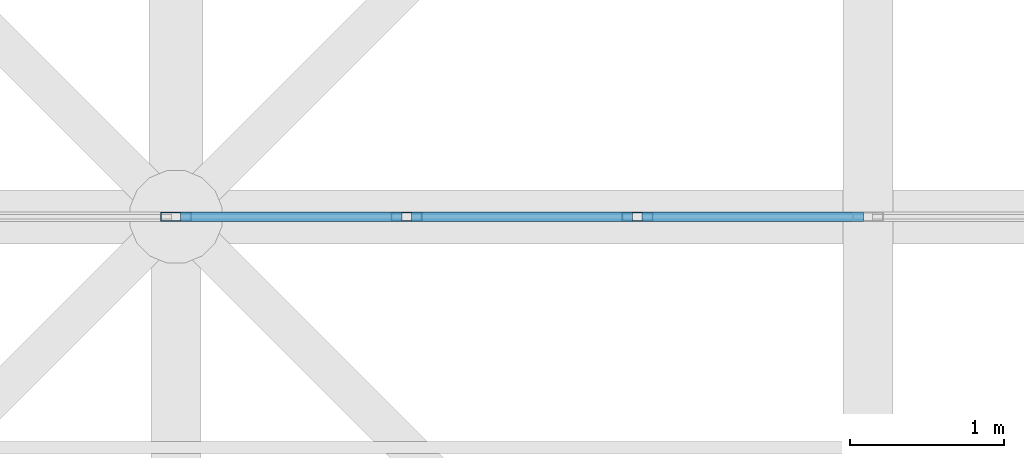
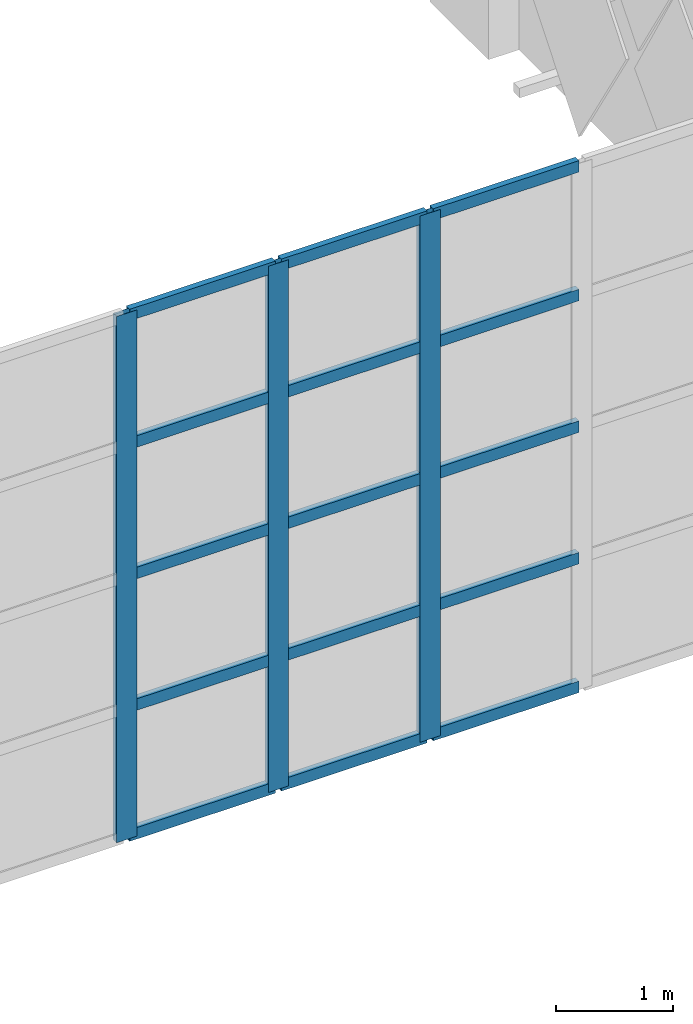
# One storey, part 186 of 437: 18 members, 1 element without a shape of its own.
"""IFC4 building model written with IfcOpenShell, lengths in metres."""

import ifcopenshell
import ifcopenshell.guid

model = None  # the IFC model being written
_history = None  # IfcOwnerHistory: only IFC2X3 demands one
_inside = {}  # id of a spatial element -> (the spatial element, [elements in it])
_under = {}  # id of a project, library or spatial element -> (it, [spatial elements below it])
_declared = {}  # id of a project -> (the project, [libraries it declares])
_typed = {}  # id of a type object -> (the type object, [elements of that type])
_made_of = {}  # id of a material, layer set ... -> (it, [elements and type objects made of it])


def new_model(schema):
    """Start an empty IFC model of exactly this schema.

    Asked for "IFC4X3", IfcOpenShell would pick the latest addendum, in which some entities
    have other attributes; the version numbers below select the first issue.
    IFC2X3 requires an IfcOwnerHistory on every rooted entity: one is made here for all.
    """
    global model, _history
    if schema == "IFC4X3":
        model = ifcopenshell.file(schema_version=(4, 3, 0, 0))
    else:
        model = ifcopenshell.file(schema=schema)
    _inside.clear()
    _under.clear()
    _declared.clear()
    _typed.clear()
    _made_of.clear()
    _history = None
    if model.schema == "IFC2X3":
        org = make("IfcOrganization", Name="unknown")
        user = make(
            "IfcPersonAndOrganization",
            ThePerson=make("IfcPerson", FamilyName="unknown"),
            TheOrganization=org,
        )
        app = make(
            "IfcApplication",
            ApplicationDeveloper=org,
            Version="unknown",
            ApplicationFullName="unknown",
            ApplicationIdentifier="unknown",
        )
        _history = make(
            "IfcOwnerHistory",
            OwningUser=user,
            OwningApplication=app,
            ChangeAction="ADDED",
            CreationDate=0,
        )
    return model


def make(cls, **values):
    """One entity of the class cls with the attributes given. An attribute that is None is left unset."""
    return model.create_entity(
        cls, **{name: value for name, value in values.items() if value is not None}
    )


def rooted(cls, **values):
    """An entity with a GlobalId (a new one), such as an element, a storey or a relation."""
    return make(cls, GlobalId=ifcopenshell.guid.new(), OwnerHistory=_history, **values)


def si_unit(unit_type, name, prefix=None):
    """IfcSIUnit, for example si_unit("LENGTHUNIT", "METRE", prefix="MILLI")."""
    return make("IfcSIUnit", UnitType=unit_type, Prefix=prefix, Name=name)


def assignment(units):
    """IfcUnitAssignment: the units of a project."""
    return None if units is None else make("IfcUnitAssignment", Units=units)


def point(xyz):
    """IfcCartesianPoint."""
    return None if xyz is None else make("IfcCartesianPoint", Coordinates=xyz)


def direction(xyz):
    """IfcDirection."""
    return None if xyz is None else make("IfcDirection", DirectionRatios=xyz)


def frame(location, z_axis=None, x_axis=None):
    """IfcAxis2Placement3D, a coordinate frame: its origin and axes. An axis left out is left unset."""
    return make(
        "IfcAxis2Placement3D",
        Location=point(location),
        Axis=direction(z_axis),
        RefDirection=direction(x_axis),
    )


def frame_2d(location, x_axis=None):
    """IfcAxis2Placement2D, a coordinate frame in the plane: its origin and x axis."""
    return make(
        "IfcAxis2Placement2D", Location=point(location), RefDirection=direction(x_axis)
    )


def origin():
    """The frame at (0, 0, 0) with its axes left unset."""
    return frame((0.0, 0.0, 0.0))


def origin_2d():
    """The frame at (0, 0) in the plane with its x axis left unset."""
    return frame_2d((0.0, 0.0))


def place(relative_to, where):
    """IfcLocalPlacement: puts the frame where relative to a parent placement (None: the world)."""
    return make(
        "IfcLocalPlacement", PlacementRelTo=relative_to, RelativePlacement=where
    )


def context(
    kind, dimensions, precision=None, world=None, true_north=None, identifier=None
):
    """IfcGeometricRepresentationContext, for example the 3D "Model" context."""
    return make(
        "IfcGeometricRepresentationContext",
        ContextIdentifier=identifier,
        ContextType=kind,
        CoordinateSpaceDimension=dimensions,
        Precision=precision,
        WorldCoordinateSystem=world,
        TrueNorth=true_north,
    )


def subcontext(parent, identifier, kind, view, scale=None):
    """IfcGeometricRepresentationSubContext, for example "Body" below "Model"."""
    return make(
        "IfcGeometricRepresentationSubContext",
        ContextIdentifier=identifier,
        ContextType=kind,
        ParentContext=parent,
        TargetScale=scale,
        TargetView=view,
    )


def project(units=None, contexts=None):
    """IfcProject with its units and contexts."""
    return rooted(
        "IfcProject",
        Name="project",
        RepresentationContexts=contexts,
        UnitsInContext=assignment(units),
    )


def spatial(cls, under=None, at=None, **own):
    """A site, building, storey or space (cls), placed at a placement, below another one or the project."""
    s = rooted(cls, ObjectPlacement=at, **own)
    if under is not None:
        _under.setdefault(under.id(), (under, []))[1].append(s)
    return s


def profile(cls, at=None, kind="AREA", **sizes):
    """A parametric profile (cls). Its sizes go by their IFC names, for example OverallWidth=200.0."""
    return make(cls, ProfileType=kind, Position=at, **sizes)


def hollow_rectangle(**sizes):
    """IfcRectangleHollowProfileDef."""
    return profile("IfcRectangleHollowProfileDef", **sizes)


def extrude(swept, where, along, depth):
    """IfcExtrudedAreaSolid: the profile swept, set in the frame where, extruded along a direction by depth."""
    return make(
        "IfcExtrudedAreaSolid",
        SweptArea=swept,
        Position=where,
        ExtrudedDirection=direction(along),
        Depth=depth,
    )


def shape(context_of_items, identifier, shape_type, items):
    """IfcShapeRepresentation: the items that make up one representation, for example the "Body"."""
    return make(
        "IfcShapeRepresentation",
        ContextOfItems=context_of_items,
        RepresentationIdentifier=identifier,
        RepresentationType=shape_type,
        Items=items,
    )


def material(Name=None, Category=None):
    """IfcMaterial."""
    return make("IfcMaterial", Name=Name, Category=Category)


def layer(
    of_material, thickness, ventilated=None, Name=None, Category=None, Priority=None
):
    """IfcMaterialLayer: one layer of a wall or slab, of a material (None: an air gap)."""
    return make(
        "IfcMaterialLayer",
        Material=of_material,
        LayerThickness=thickness,
        IsVentilated=ventilated,
        Name=Name,
        Category=Category,
        Priority=Priority,
    )


def layer_set(layers, Name=None):
    """IfcMaterialLayerSet."""
    return make("IfcMaterialLayerSet", MaterialLayers=layers, LayerSetName=Name)


def material_profile(
    of_material, cross_section, Name=None, Category=None, Priority=None
):
    """IfcMaterialProfile: a cross section and its material."""
    return make(
        "IfcMaterialProfile",
        Name=Name,
        Material=of_material,
        Profile=cross_section,
        Priority=Priority,
        Category=Category,
    )


def profile_set(profiles, Name=None, composite=None):
    """IfcMaterialProfileSet."""
    return make(
        "IfcMaterialProfileSet",
        Name=Name,
        MaterialProfiles=profiles,
        CompositeProfile=composite,
    )


def made_of(thing, what):
    """Note that an element or type object is made of a material, layer set ...; save() writes the relation."""
    if what is not None:
        _made_of.setdefault(what.id(), (what, []))[1].append(thing)
    return thing


def type_object(cls, material=None, **own):
    """A type object (cls), such as IfcWallType, which elements share."""
    return made_of(rooted(cls, **own), material)


def element(
    cls,
    number,
    at=None,
    inside=None,
    cuts=None,
    type_object=None,
    material=None,
    context=None,
    identifier="Body",
    shape_type=None,
    held_by="IfcProductDefinitionShape",
    body=None,
    shapes=None,
    **own,
):
    """One element of the class cls, such as IfcWall. Its Tag is "e" and its number.

    at: its placement. inside: the storey or other place that contains it. cuts: it is an
    opening in that element (IfcRelVoidsElement). A single representation is given by context,
    identifier, shape_type and body (its items); several are given by shapes. held_by: the class
    of the entity that holds the representations. save() writes the other relations.
    """
    e = rooted(cls, Tag="e%d" % number, ObjectPlacement=at, **own)
    if body is not None:
        shapes = [shape(context, identifier, shape_type, body)]
    if shapes is not None:
        e.Representation = make(held_by, Representations=shapes)
    if inside is not None:
        _inside.setdefault(inside.id(), (inside, []))[1].append(e)
    if cuts is not None:
        rooted(
            "IfcRelVoidsElement", RelatingBuildingElement=cuts, RelatedOpeningElement=e
        )
    if type_object is not None:
        _typed.setdefault(type_object.id(), (type_object, []))[1].append(e)
    return made_of(e, material)


def aggregate(whole, parts):
    """IfcRelAggregates: a whole, such as a stair, and the parts it consists of."""
    return rooted("IfcRelAggregates", RelatingObject=whole, RelatedObjects=parts)


def save(model, path):
    """Write the relations noted so far, then the file.

    IfcRelAggregates (storeys below a building ...), IfcRelContainedInSpatialStructure (elements
    in a storey), IfcRelDefinesByType, IfcRelAssociatesMaterial and IfcRelDeclares: one each for
    every whole, place, type object, material and project.
    """
    for whole, parts in _under.values():
        aggregate(whole, parts)
    for where, things in _inside.values():
        rooted(
            "IfcRelContainedInSpatialStructure",
            RelatedElements=things,
            RelatingStructure=where,
        )
    for kind, things in _typed.values():
        rooted("IfcRelDefinesByType", RelatedObjects=things, RelatingType=kind)
    for what, things in _made_of.values():
        rooted("IfcRelAssociatesMaterial", RelatedObjects=things, RelatingMaterial=what)
    for by, libraries in _declared.values():
        rooted("IfcRelDeclares", RelatingContext=by, RelatedDefinitions=libraries)
    model.write(path)


model = new_model("IFC4")

# Units and contexts
model_context = context("Model", 3, precision=1e-05, world=origin(), true_north=direction((0.0, 1.0)))
body_context = subcontext(model_context, "Body", "Model", "MODEL_VIEW")
ifc_project = project(units=[si_unit("LENGTHUNIT", "METRE"), si_unit("AREAUNIT", "SQUARE_METRE"), si_unit("VOLUMEUNIT", "CUBIC_METRE"), si_unit("PLANEANGLEUNIT", "RADIAN"), si_unit("MASSUNIT", "GRAM", prefix="KILO")], contexts=[model_context])

# Site, building, storey
site_placement = place(None, origin())
site = spatial("IfcSite", under=ifc_project, at=site_placement, CompositionType="ELEMENT")
building_placement = place(site_placement, origin())
building = spatial("IfcBuilding", under=site, at=building_placement, Name="Opaline Strait Convention Centre", CompositionType="ELEMENT")
storey_placement = place(building_placement, frame((0.0, 0.0, 11.5)))
storey = spatial("IfcBuildingStorey", under=building, at=storey_placement, Name="L02", CompositionType="ELEMENT", Elevation=11.5)

# Curtain wall, members
ifc_material_1 = material(Name="Aluminium framed glazing", Category="aluminium")
ifc_layer = layer(ifc_material_1, 0.199951171875)
ifc_layer_set = layer_set([ifc_layer], Name="Aluminium framed glazing")
curtain_wall_type = type_object("IfcCurtainWallType", Name="Entrance curtain wall 1500", PredefinedType="NOTDEFINED", material=ifc_layer_set)
curtain_wall_placement = place(storey_placement, origin())
curtain_wall = element("IfcCurtainWall", 1, at=curtain_wall_placement, inside=storey, type_object=curtain_wall_type, Name="Entrance curtain wall L02-R3", PredefinedType="NOTDEFINED")
ifc_material_2 = material(Name="Aluminium alloy 6063", Category="aluminium")
ifc_material_profile_1 = material_profile(ifc_material_2, hollow_rectangle(XDim=0.06005859375, YDim=0.199951171875, WallThickness=0.00390625, at=origin_2d()), Name="MULLION 60x200x4")
ifc_profile_set_1 = profile_set([ifc_material_profile_1], Name="Aluminium alloy 6063")
member_type_1 = type_object("IfcMemberType", Name="Curtain wall mullion 60 x 200", PredefinedType="MULLION", material=ifc_profile_set_1)
member_1_placement = place(storey_placement, frame((198.0, 144.0, 0.0), z_axis=(0.0, 0.0, 1.0), x_axis=(0.0, 1.0, 0.0)))
member_1 = element("IfcMember", 2, at=member_1_placement, type_object=member_type_1, Name="XCW mullion 7", PredefinedType="MULLION", context=body_context, shape_type="SweptSolid", body=[
    extrude(hollow_rectangle(XDim=0.06005859375, YDim=0.199951171875, WallThickness=0.00390625, at=origin_2d()), origin(), (0.0, 0.0, 1.0), 5.5),
])
member_2_placement = place(storey_placement, frame((199.5, 144.0, 0.0), z_axis=(0.0, 0.0, 1.0), x_axis=(0.0, 1.0, 0.0)))
member_2 = element("IfcMember", 3, at=member_2_placement, type_object=member_type_1, Name="XCW mullion 8", PredefinedType="MULLION", context=body_context, shape_type="SweptSolid", body=[
    extrude(hollow_rectangle(XDim=0.06005859375, YDim=0.199951171875, WallThickness=0.00390625, at=origin_2d()), origin(), (0.0, 0.0, 1.0), 5.5),
])
member_3_placement = place(storey_placement, frame((201.0, 144.0, 0.0), z_axis=(0.0, 0.0, 1.0), x_axis=(0.0, 1.0, 0.0)))
member_3 = element("IfcMember", 4, at=member_3_placement, type_object=member_type_1, Name="XCW mullion 9", PredefinedType="MULLION", context=body_context, shape_type="SweptSolid", body=[
    extrude(hollow_rectangle(XDim=0.06005859375, YDim=0.199951171875, WallThickness=0.00390625, at=origin_2d()), origin(), (0.0, 0.0, 1.0), 5.5),
])
ifc_material_profile_2 = material_profile(ifc_material_2, hollow_rectangle(XDim=0.06005859375, YDim=0.1201171875, WallThickness=0.0029296875, at=origin_2d()), Name="TRANSOM 60x120x3")
ifc_profile_set_2 = profile_set([ifc_material_profile_2], Name="Aluminium alloy 6063")
member_type_2 = type_object("IfcMemberType", Name="Curtain wall transom 60 x 120", PredefinedType="USERDEFINED", material=ifc_profile_set_2)
member_4_placement = place(storey_placement, frame((198.030029296875, 144.0, 0.030029296875), z_axis=(1.0, 0.0, 0.0), x_axis=(0.0, 1.0, 0.0)))
member_4 = element("IfcMember", 5, at=member_4_placement, type_object=member_type_2, Name="XCW transom 7.1", ObjectType="TRANSOM", PredefinedType="USERDEFINED", context=body_context, shape_type="SweptSolid", body=[
    extrude(hollow_rectangle(XDim=0.06005859375, YDim=0.1201171875, WallThickness=0.0029296875, at=origin_2d()), origin(), (0.0, 0.0, 1.0), 1.43994140625),
])
member_5_placement = place(storey_placement, frame((198.030029296875, 144.0, 1.375), z_axis=(1.0, 0.0, 0.0), x_axis=(0.0, 1.0, 0.0)))
member_5 = element("IfcMember", 6, at=member_5_placement, type_object=member_type_2, Name="XCW transom 7.2", ObjectType="TRANSOM", PredefinedType="USERDEFINED", context=body_context, shape_type="SweptSolid", body=[
    extrude(hollow_rectangle(XDim=0.06005859375, YDim=0.1201171875, WallThickness=0.0029296875, at=origin_2d()), origin(), (0.0, 0.0, 1.0), 1.43994140625),
])
member_6_placement = place(storey_placement, frame((198.030029296875, 144.0, 2.75), z_axis=(1.0, 0.0, 0.0), x_axis=(0.0, 1.0, 0.0)))
member_6 = element("IfcMember", 7, at=member_6_placement, type_object=member_type_2, Name="XCW transom 7.3", ObjectType="TRANSOM", PredefinedType="USERDEFINED", context=body_context, shape_type="SweptSolid", body=[
    extrude(hollow_rectangle(XDim=0.06005859375, YDim=0.1201171875, WallThickness=0.0029296875, at=origin_2d()), origin(), (0.0, 0.0, 1.0), 1.43994140625),
])
member_7_placement = place(storey_placement, frame((198.030029296875, 144.0, 4.125), z_axis=(1.0, 0.0, 0.0), x_axis=(0.0, 1.0, 0.0)))
member_7 = element("IfcMember", 8, at=member_7_placement, type_object=member_type_2, Name="XCW transom 7.4", ObjectType="TRANSOM", PredefinedType="USERDEFINED", context=body_context, shape_type="SweptSolid", body=[
    extrude(hollow_rectangle(XDim=0.06005859375, YDim=0.1201171875, WallThickness=0.0029296875, at=origin_2d()), origin(), (0.0, 0.0, 1.0), 1.43994140625),
])
member_8_placement = place(storey_placement, frame((198.030029296875, 144.0, 5.469970703125), z_axis=(1.0, 0.0, 0.0), x_axis=(0.0, 1.0, 0.0)))
member_8 = element("IfcMember", 9, at=member_8_placement, type_object=member_type_2, Name="XCW transom 7.5", ObjectType="TRANSOM", PredefinedType="USERDEFINED", context=body_context, shape_type="SweptSolid", body=[
    extrude(hollow_rectangle(XDim=0.06005859375, YDim=0.1201171875, WallThickness=0.0029296875, at=origin_2d()), origin(), (0.0, 0.0, 1.0), 1.43994140625),
])
member_9_placement = place(storey_placement, frame((199.530029296875, 144.0, 0.030029296875), z_axis=(1.0, 0.0, 0.0), x_axis=(0.0, 1.0, 0.0)))
member_9 = element("IfcMember", 10, at=member_9_placement, type_object=member_type_2, Name="XCW transom 8.1", ObjectType="TRANSOM", PredefinedType="USERDEFINED", context=body_context, shape_type="SweptSolid", body=[
    extrude(hollow_rectangle(XDim=0.06005859375, YDim=0.1201171875, WallThickness=0.0029296875, at=origin_2d()), origin(), (0.0, 0.0, 1.0), 1.43994140625),
])
member_10_placement = place(storey_placement, frame((199.530029296875, 144.0, 1.375), z_axis=(1.0, 0.0, 0.0), x_axis=(0.0, 1.0, 0.0)))
member_10 = element("IfcMember", 11, at=member_10_placement, type_object=member_type_2, Name="XCW transom 8.2", ObjectType="TRANSOM", PredefinedType="USERDEFINED", context=body_context, shape_type="SweptSolid", body=[
    extrude(hollow_rectangle(XDim=0.06005859375, YDim=0.1201171875, WallThickness=0.0029296875, at=origin_2d()), origin(), (0.0, 0.0, 1.0), 1.43994140625),
])
member_11_placement = place(storey_placement, frame((199.530029296875, 144.0, 2.75), z_axis=(1.0, 0.0, 0.0), x_axis=(0.0, 1.0, 0.0)))
member_11 = element("IfcMember", 12, at=member_11_placement, type_object=member_type_2, Name="XCW transom 8.3", ObjectType="TRANSOM", PredefinedType="USERDEFINED", context=body_context, shape_type="SweptSolid", body=[
    extrude(hollow_rectangle(XDim=0.06005859375, YDim=0.1201171875, WallThickness=0.0029296875, at=origin_2d()), origin(), (0.0, 0.0, 1.0), 1.43994140625),
])
member_12_placement = place(storey_placement, frame((199.530029296875, 144.0, 4.125), z_axis=(1.0, 0.0, 0.0), x_axis=(0.0, 1.0, 0.0)))
member_12 = element("IfcMember", 13, at=member_12_placement, type_object=member_type_2, Name="XCW transom 8.4", ObjectType="TRANSOM", PredefinedType="USERDEFINED", context=body_context, shape_type="SweptSolid", body=[
    extrude(hollow_rectangle(XDim=0.06005859375, YDim=0.1201171875, WallThickness=0.0029296875, at=origin_2d()), origin(), (0.0, 0.0, 1.0), 1.43994140625),
])
member_13_placement = place(storey_placement, frame((199.530029296875, 144.0, 5.469970703125), z_axis=(1.0, 0.0, 0.0), x_axis=(0.0, 1.0, 0.0)))
member_13 = element("IfcMember", 14, at=member_13_placement, type_object=member_type_2, Name="XCW transom 8.5", ObjectType="TRANSOM", PredefinedType="USERDEFINED", context=body_context, shape_type="SweptSolid", body=[
    extrude(hollow_rectangle(XDim=0.06005859375, YDim=0.1201171875, WallThickness=0.0029296875, at=origin_2d()), origin(), (0.0, 0.0, 1.0), 1.43994140625),
])
member_14_placement = place(storey_placement, frame((201.030029296875, 144.0, 0.030029296875), z_axis=(1.0, 0.0, 0.0), x_axis=(0.0, 1.0, 0.0)))
member_14 = element("IfcMember", 15, at=member_14_placement, type_object=member_type_2, Name="XCW transom 9.1", ObjectType="TRANSOM", PredefinedType="USERDEFINED", context=body_context, shape_type="SweptSolid", body=[
    extrude(hollow_rectangle(XDim=0.06005859375, YDim=0.1201171875, WallThickness=0.0029296875, at=origin_2d()), origin(), (0.0, 0.0, 1.0), 1.43994140625),
])
member_15_placement = place(storey_placement, frame((201.030029296875, 144.0, 1.375), z_axis=(1.0, 0.0, 0.0), x_axis=(0.0, 1.0, 0.0)))
member_15 = element("IfcMember", 16, at=member_15_placement, type_object=member_type_2, Name="XCW transom 9.2", ObjectType="TRANSOM", PredefinedType="USERDEFINED", context=body_context, shape_type="SweptSolid", body=[
    extrude(hollow_rectangle(XDim=0.06005859375, YDim=0.1201171875, WallThickness=0.0029296875, at=origin_2d()), origin(), (0.0, 0.0, 1.0), 1.43994140625),
])
member_16_placement = place(storey_placement, frame((201.030029296875, 144.0, 2.75), z_axis=(1.0, 0.0, 0.0), x_axis=(0.0, 1.0, 0.0)))
member_16 = element("IfcMember", 17, at=member_16_placement, type_object=member_type_2, Name="XCW transom 9.3", ObjectType="TRANSOM", PredefinedType="USERDEFINED", context=body_context, shape_type="SweptSolid", body=[
    extrude(hollow_rectangle(XDim=0.06005859375, YDim=0.1201171875, WallThickness=0.0029296875, at=origin_2d()), origin(), (0.0, 0.0, 1.0), 1.43994140625),
])
member_17_placement = place(storey_placement, frame((201.030029296875, 144.0, 4.125), z_axis=(1.0, 0.0, 0.0), x_axis=(0.0, 1.0, 0.0)))
member_17 = element("IfcMember", 18, at=member_17_placement, type_object=member_type_2, Name="XCW transom 9.4", ObjectType="TRANSOM", PredefinedType="USERDEFINED", context=body_context, shape_type="SweptSolid", body=[
    extrude(hollow_rectangle(XDim=0.06005859375, YDim=0.1201171875, WallThickness=0.0029296875, at=origin_2d()), origin(), (0.0, 0.0, 1.0), 1.43994140625),
])
member_18_placement = place(storey_placement, frame((201.030029296875, 144.0, 5.469970703125), z_axis=(1.0, 0.0, 0.0), x_axis=(0.0, 1.0, 0.0)))
member_18 = element("IfcMember", 19, at=member_18_placement, type_object=member_type_2, Name="XCW transom 9.5", ObjectType="TRANSOM", PredefinedType="USERDEFINED", context=body_context, shape_type="SweptSolid", body=[
    extrude(hollow_rectangle(XDim=0.06005859375, YDim=0.1201171875, WallThickness=0.0029296875, at=origin_2d()), origin(), (0.0, 0.0, 1.0), 1.43994140625),
])
aggregate(curtain_wall, [member_1, member_2, member_3, member_4, member_5, member_6, member_7, member_8, member_9, member_10, member_11, member_12, member_13, member_14, member_15, member_16, member_17, member_18])

save(model, "model.ifc")
